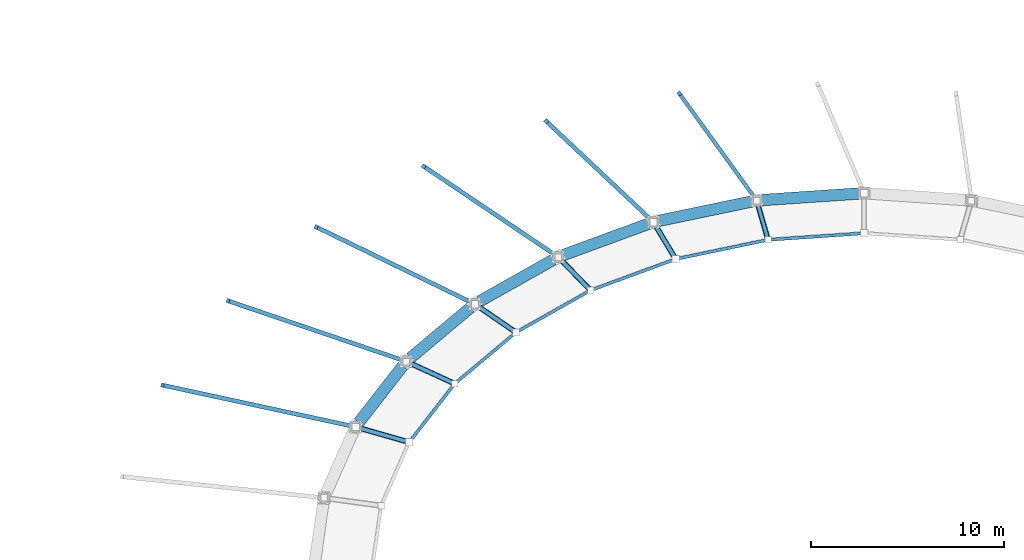
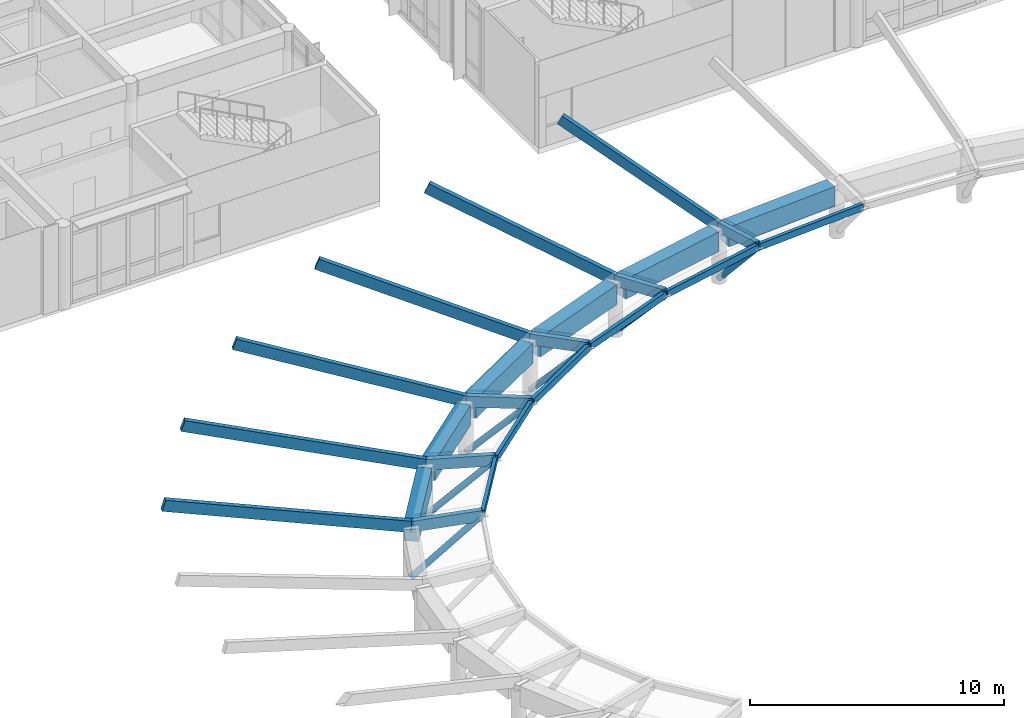
# One storey, part 7 of 37: 24 members, 6 beams.
"""IFC4 building model written with IfcOpenShell, lengths in metres."""

from ifc_helpers import new_model, si_unit, direction, frame, origin, origin_2d, place, context, subcontext, project, spatial, rectangle, hollow_circle, extrude, material, material_profile, profile_set, type_object, element, save


model = new_model("IFC4")

# Units and contexts
model_context = context("Model", 3, precision=1e-05, world=origin(), true_north=direction((0.0, 1.0)))
body_context = subcontext(model_context, "Body", "Model", "MODEL_VIEW")
ifc_project = project(units=[si_unit("LENGTHUNIT", "METRE"), si_unit("AREAUNIT", "SQUARE_METRE"), si_unit("VOLUMEUNIT", "CUBIC_METRE"), si_unit("PLANEANGLEUNIT", "RADIAN"), si_unit("MASSUNIT", "GRAM", prefix="KILO")], contexts=[model_context])

# Site, building, storey
site_placement = place(None, origin())
site = spatial("IfcSite", under=ifc_project, at=site_placement, CompositionType="ELEMENT")
building_placement = place(site_placement, origin())
building = spatial("IfcBuilding", under=site, at=building_placement, Name="Namkhue Oval Health Centre", CompositionType="ELEMENT")
storey_placement = place(building_placement, frame((0.0, 0.0, 22.199951171875)))
storey = spatial("IfcBuildingStorey", under=building, at=storey_placement, Name="L05", CompositionType="ELEMENT", Elevation=22.199951171875)

# Members
ifc_material_1 = material(Name="Structural steel EN 10025-2 S355JR (TCVN 5575:2024)", Category="steel")
ifc_material_profile_1 = material_profile(ifc_material_1, hollow_circle(Radius=0.136474609375, WallThickness=0.012451171875, at=origin_2d()), Name="CHS 273x12.5")
ifc_profile_set_1 = profile_set([ifc_material_profile_1], Name="Structural steel EN 10025-2 S355JR (TCVN 5575:2024)")
member_type_1 = type_object("IfcMemberType", Name="CANOPY STRUT CHS 273", PredefinedType="STRUT", material=ifc_profile_set_1)
member_1_placement = place(storey_placement, frame((95.2412109375, 78.613037109375, 0.115234375), z_axis=(0.178982047127, -0.618870868492, 0.764829572479), x_axis=(0.960632552959, 0.277822062112, 0.0)))
element("IfcMember", 1, at=member_1_placement, inside=storey, type_object=member_type_1, Name="Oval Court Oculus Canopy Strut 10", PredefinedType="STRUT", context=body_context, shape_type="SweptSolid", body=[
    extrude(hollow_circle(Radius=0.136474609375, WallThickness=0.012451171875, at=origin_2d()), origin(), (0.0, 0.0, 1.0), 3.275146484375),
])
member_2_placement = place(storey_placement, frame((89.895751953125, 77.49853515625, 0.114990234375), z_axis=(0.343057087119, -0.569407784033, 0.747051946293), x_axis=(0.856554142156, 0.516057168883, 0.0)))
element("IfcMember", 2, at=member_2_placement, inside=storey, type_object=member_type_1, Name="Oval Court Oculus Canopy Strut 11", PredefinedType="STRUT", context=body_context, shape_type="SweptSolid", body=[
    extrude(hollow_circle(Radius=0.136474609375, WallThickness=0.012451171875, at=origin_2d()), origin(), (0.0, 0.0, 1.0), 3.353271484375),
])
member_3_placement = place(storey_placement, frame((84.96923828125, 75.688720703125, 0.114501953125), z_axis=(0.481738042184, -0.495749423416, 0.722607063275), x_axis=(0.717168831651, 0.696899466859, 0.0)))
element("IfcMember", 3, at=member_3_placement, inside=storey, type_object=member_type_1, Name="Oval Court Oculus Canopy Strut 12", PredefinedType="STRUT", context=body_context, shape_type="SweptSolid", body=[
    extrude(hollow_circle(Radius=0.136474609375, WallThickness=0.012451171875, at=origin_2d()), origin(), (0.0, 0.0, 1.0), 3.467529296875),
])
member_4_placement = place(storey_placement, frame((80.65087890625, 73.252685546875, 0.114013671875), z_axis=(0.591133806128, -0.406463876567, 0.696669175649), x_axis=(0.56658503207, 0.824003277563, 0.0)))
element("IfcMember", 4, at=member_4_placement, inside=storey, type_object=member_type_1, Name="Oval Court Oculus Canopy Strut 13", PredefinedType="STRUT", context=body_context, shape_type="SweptSolid", body=[
    extrude(hollow_circle(Radius=0.136474609375, WallThickness=0.012451171875, at=origin_2d()), origin(), (0.0, 0.0, 1.0), 3.59716796875),
])
member_5_placement = place(storey_placement, frame((77.106689453125, 70.2841796875, 0.113525390625), z_axis=(0.671795959556, -0.308647055128, 0.673370020186), x_axis=(0.417482354006, 0.908685030191, 0.0)))
element("IfcMember", 5, at=member_5_placement, inside=storey, type_object=member_type_1, Name="Oval Court Oculus Canopy Strut 14", PredefinedType="STRUT", context=body_context, shape_type="SweptSolid", body=[
    extrude(hollow_circle(Radius=0.136474609375, WallThickness=0.012451171875, at=origin_2d()), origin(), (0.0, 0.0, 1.0), 3.722412109375),
])
member_6_placement = place(storey_placement, frame((74.472900390625, 66.897216796875, 0.113037109375), z_axis=(0.726469701976, -0.206888156519, 0.655316002248), x_axis=(0.273895320503, 0.961759509132, 0.0)))
element("IfcMember", 6, at=member_6_placement, inside=storey, type_object=member_type_1, Name="Oval Court Oculus Canopy Strut 15", PredefinedType="STRUT", context=body_context, shape_type="SweptSolid", body=[
    extrude(hollow_circle(Radius=0.136474609375, WallThickness=0.012451171875, at=origin_2d()), origin(), (0.0, 0.0, 1.0), 3.82568359375),
])
ifc_material_2 = material(Name="Glulam timber GL28h", Category="wood")
ifc_material_profile_2 = material_profile(ifc_material_2, rectangle(XDim=0.199951171875, YDim=0.47998046875, at=origin_2d()), Name="GL28h 200x480")
ifc_profile_set_2 = profile_set([ifc_material_profile_2], Name="Glulam timber GL28h")
member_type_2 = type_object("IfcMemberType", Name="GRIDSHELL ARCH RIB GL28H 200X480", PredefinedType="USERDEFINED", material=ifc_profile_set_2)
member_7_placement = place(storey_placement, frame((91.236328125, 84.159912109375, 5.800048828125), z_axis=(0.530524033019, -0.733844641439, -0.424283269314), x_axis=(0.810403887577, 0.585871606242, 0.0)))
element("IfcMember", 7, at=member_7_placement, inside=storey, type_object=member_type_2, Name="Gridshell Glulam Arch Rib K5-10", ObjectType="ARCH_SEGMENT", PredefinedType="USERDEFINED", context=body_context, shape_type="SweptSolid", body=[
    extrude(rectangle(XDim=0.199951171875, YDim=0.47998046875, at=origin_2d()), origin(), (0.0, 0.0, 1.0), 7.5419921875),
])
member_8_placement = place(storey_placement, frame((95.237548828125, 78.625244140625, 2.60009765625), z_axis=(0.277936029842, -0.960414448176, 0.018858712823), x_axis=(0.960585279948, 0.27798546715, 0.0)))
element("IfcMember", 8, at=member_8_placement, inside=storey, type_object=member_type_2, Name="Gridshell Glulam Arch Rib K6-10", ObjectType="ARCH_SEGMENT", PredefinedType="USERDEFINED", context=body_context, shape_type="SweptSolid", body=[
    extrude(rectangle(XDim=0.199951171875, YDim=0.47998046875, at=origin_2d()), origin(), (0.0, 0.0, 1.0), 2.123046875),
])
ifc_material_profile_3 = material_profile(ifc_material_2, rectangle(XDim=0.219970703125, YDim=0.52001953125, at=origin_2d()), Name="GL28h 220x520")
ifc_profile_set_3 = profile_set([ifc_material_profile_3], Name="Glulam timber GL28h")
member_type_3 = type_object("IfcMemberType", Name="GRIDSHELL ARCH RIB GL28H 220X520", PredefinedType="USERDEFINED", material=ifc_profile_set_3)
member_9_placement = place(storey_placement, frame((84.347900390625, 82.723388671875, 5.800048828125), z_axis=(0.671333018107, -0.63166710441, -0.387696592718), x_axis=(0.685263596888, 0.728295134393, 0.0)))
element("IfcMember", 9, at=member_9_placement, inside=storey, type_object=member_type_3, Name="Gridshell Glulam Arch Rib K5-11", ObjectType="ARCH_SEGMENT", PredefinedType="USERDEFINED", context=body_context, shape_type="SweptSolid", body=[
    extrude(rectangle(XDim=0.219970703125, YDim=0.52001953125, at=origin_2d()), origin(), (0.0, 0.0, 1.0), 8.253662109375),
])
member_10_placement = place(storey_placement, frame((89.888916015625, 77.509765625, 2.60009765625), z_axis=(0.515997754344, -0.856403867811, 0.017853086859), x_axis=(0.856540382409, 0.516080006688, 0.0)))
element("IfcMember", 10, at=member_10_placement, inside=storey, type_object=member_type_3, Name="Gridshell Glulam Arch Rib K6-11", ObjectType="ARCH_SEGMENT", PredefinedType="USERDEFINED", context=body_context, shape_type="SweptSolid", body=[
    extrude(rectangle(XDim=0.219970703125, YDim=0.52001953125, at=origin_2d()), origin(), (0.0, 0.0, 1.0), 2.24267578125),
])
member_11_placement = place(storey_placement, frame((77.99951171875, 80.390380859375, 5.800048828125), z_axis=(0.774790910304, -0.522307131831, -0.356222269586), x_axis=(0.558975207101, 0.829184369031, 0.0)))
element("IfcMember", 11, at=member_11_placement, inside=storey, type_object=member_type_3, Name="Gridshell Glulam Arch Rib K5-12", ObjectType="ARCH_SEGMENT", PredefinedType="USERDEFINED", context=body_context, shape_type="SweptSolid", body=[
    extrude(rectangle(XDim=0.219970703125, YDim=0.52001953125, at=origin_2d()), origin(), (0.0, 0.0, 1.0), 8.98291015625),
])
member_12_placement = place(storey_placement, frame((84.95947265625, 75.698486328125, 2.60009765625), z_axis=(0.696862242851, -0.717012720376, 0.016606423689), x_axis=(0.717111607314, 0.696958350732, 0.0)))
element("IfcMember", 12, at=member_12_placement, inside=storey, type_object=member_type_3, Name="Gridshell Glulam Arch Rib K6-12", ObjectType="ARCH_SEGMENT", PredefinedType="USERDEFINED", context=body_context, shape_type="SweptSolid", body=[
    extrude(rectangle(XDim=0.219970703125, YDim=0.52001953125, at=origin_2d()), origin(), (0.0, 0.0, 1.0), 2.4111328125),
])
member_13_placement = place(storey_placement, frame((72.43505859375, 77.2509765625, 5.800048828125), z_axis=(0.848581874446, -0.412737617354, -0.330993144313), x_axis=(0.437392024112, 0.899270936505, 0.0)))
element("IfcMember", 13, at=member_13_placement, inside=storey, type_object=member_type_3, Name="Gridshell Glulam Arch Rib K5-13", ObjectType="ARCH_SEGMENT", PredefinedType="USERDEFINED", context=body_context, shape_type="SweptSolid", body=[
    extrude(rectangle(XDim=0.219970703125, YDim=0.52001953125, at=origin_2d()), origin(), (0.0, 0.0, 1.0), 9.667724609375),
])
member_14_placement = place(storey_placement, frame((80.638916015625, 73.2607421875, 2.60009765625), z_axis=(0.823935625932, -0.56647338045, 0.015427039919), x_axis=(0.566540800993, 0.824033689123, 0.0)))
element("IfcMember", 14, at=member_14_placement, inside=storey, type_object=member_type_3, Name="Gridshell Glulam Arch Rib K6-13", ObjectType="ARCH_SEGMENT", PredefinedType="USERDEFINED", context=body_context, shape_type="SweptSolid", body=[
    extrude(rectangle(XDim=0.219970703125, YDim=0.52001953125, at=origin_2d()), origin(), (0.0, 0.0, 1.0), 2.595458984375),
])
member_15_placement = place(storey_placement, frame((67.868408203125, 73.42529296875, 5.800048828125), z_axis=(0.899538636844, -0.305710767407, -0.312043534647), x_axis=(0.321777841615, 0.946815198783, 0.0)))
element("IfcMember", 15, at=member_15_placement, inside=storey, type_object=member_type_3, Name="Gridshell Glulam Arch Rib K5-14", ObjectType="ARCH_SEGMENT", PredefinedType="USERDEFINED", context=body_context, shape_type="SweptSolid", body=[
    extrude(rectangle(XDim=0.219970703125, YDim=0.52001953125, at=origin_2d()), origin(), (0.0, 0.0, 1.0), 10.2548828125),
])
member_16_placement = place(storey_placement, frame((77.093017578125, 70.290283203125, 2.60009765625), z_axis=(0.908614289057, -0.417385590982, 0.014468661366), x_axis=(0.417429286044, 0.908709409632, 0.0)))
element("IfcMember", 16, at=member_16_placement, inside=storey, type_object=member_type_3, Name="Gridshell Glulam Arch Rib K6-14", ObjectType="ARCH_SEGMENT", PredefinedType="USERDEFINED", context=body_context, shape_type="SweptSolid", body=[
    extrude(rectangle(XDim=0.219970703125, YDim=0.52001953125, at=origin_2d()), origin(), (0.0, 0.0, 1.0), 2.767333984375),
])
member_17_placement = place(storey_placement, frame((64.47509765625, 69.060791015625, 5.800048828125), z_axis=(0.932694872075, -0.201748212162, -0.298961426433), x_axis=(0.211417342761, 0.97739588048, 0.0)))
element("IfcMember", 17, at=member_17_placement, inside=storey, type_object=member_type_3, Name="Gridshell Glulam Arch Rib K5-15", ObjectType="ARCH_SEGMENT", PredefinedType="USERDEFINED", context=body_context, shape_type="SweptSolid", body=[
    extrude(rectangle(XDim=0.219970703125, YDim=0.52001953125, at=origin_2d()), origin(), (0.0, 0.0, 1.0), 10.70361328125),
])
member_18_placement = place(storey_placement, frame((74.458251953125, 66.9013671875, 2.60009765625), z_axis=(0.961670102173, -0.273862536087, 0.013781361129), x_axis=(0.273888546589, 0.96176143822, 0.0)))
element("IfcMember", 18, at=member_18_placement, inside=storey, type_object=member_type_3, Name="Gridshell Glulam Arch Rib K6-15", ObjectType="ARCH_SEGMENT", PredefinedType="USERDEFINED", context=body_context, shape_type="SweptSolid", body=[
    extrude(rectangle(XDim=0.219970703125, YDim=0.52001953125, at=origin_2d()), origin(), (0.0, 0.0, 1.0), 2.9052734375),
])
ifc_material_profile_4 = material_profile(ifc_material_2, rectangle(XDim=0.159912109375, YDim=0.320068359375, at=origin_2d()), Name="GL28h 160x320")
ifc_profile_set_4 = profile_set([ifc_material_profile_4], Name="Glulam timber GL28h")
member_type_4 = type_object("IfcMemberType", Name="GRIDSHELL OCULUS PURLIN GL28H 160X320", PredefinedType="PURLIN", material=ifc_profile_set_4)
member_19_placement = place(storey_placement, frame((100.760009765625, 76.92041015625, 2.64013671875), z_axis=(-0.99771522268, -0.067559858143, 0.0), x_axis=(0.067559858143, -0.99771522268, 0.0)))
element("IfcMember", 19, at=member_19_placement, inside=storey, type_object=member_type_4, Name="Gridshell Hoop Purlin K7-9", PredefinedType="PURLIN", context=body_context, shape_type="SweptSolid", body=[
    extrude(rectangle(XDim=0.159912109375, YDim=0.320068359375, at=origin_2d()), origin(), (0.0, 0.0, 1.0), 4.90380859375),
])
member_20_placement = place(storey_placement, frame((95.788330078125, 76.578125, 2.64013671875), z_axis=(-0.978943199485, -0.204132829751, 0.0), x_axis=(0.204132829751, -0.978943199485, 0.0)))
element("IfcMember", 20, at=member_20_placement, inside=storey, type_object=member_type_4, Name="Gridshell Hoop Purlin K7-10", PredefinedType="PURLIN", context=body_context, shape_type="SweptSolid", body=[
    extrude(rectangle(XDim=0.159912109375, YDim=0.320068359375, at=origin_2d()), origin(), (0.0, 0.0, 1.0), 4.80419921875),
])
member_21_placement = place(storey_placement, frame((91.008544921875, 75.5751953125, 2.64013671875), z_axis=(-0.938637253455, -0.34490593852, 0.0), x_axis=(0.34490593852, -0.938637253455, 0.0)))
element("IfcMember", 21, at=member_21_placement, inside=storey, type_object=member_type_4, Name="Gridshell Hoop Purlin K7-11", PredefinedType="PURLIN", context=body_context, shape_type="SweptSolid", body=[
    extrude(rectangle(XDim=0.159912109375, YDim=0.320068359375, at=origin_2d()), origin(), (0.0, 0.0, 1.0), 4.614501953125),
])
member_22_placement = place(storey_placement, frame((86.604736328125, 73.9501953125, 2.64013671875), z_axis=(-0.870938479787, -0.491392067932, 0.0), x_axis=(0.491392067932, -0.870938479787, 0.0)))
element("IfcMember", 22, at=member_22_placement, inside=storey, type_object=member_type_4, Name="Gridshell Hoop Purlin K7-12", PredefinedType="PURLIN", context=body_context, shape_type="SweptSolid", body=[
    extrude(rectangle(XDim=0.159912109375, YDim=0.320068359375, at=origin_2d()), origin(), (0.0, 0.0, 1.0), 4.354736328125),
])
member_23_placement = place(storey_placement, frame((82.74658203125, 71.764892578125, 2.64013671875), z_axis=(-0.766560531818, -0.642172057208, 0.0), x_axis=(0.642172057208, -0.766560531818, 0.0)))
element("IfcMember", 23, at=member_23_placement, inside=storey, type_object=member_type_4, Name="Gridshell Hoop Purlin K7-13", PredefinedType="PURLIN", context=body_context, shape_type="SweptSolid", body=[
    extrude(rectangle(XDim=0.159912109375, YDim=0.320068359375, at=origin_2d()), origin(), (0.0, 0.0, 1.0), 4.054931640625),
])
member_24_placement = place(storey_placement, frame((79.5830078125, 69.103759765625, 2.64013671875), z_axis=(-0.613787668601, -0.789471150754, 0.0), x_axis=(0.789471150754, -0.613787668601, 0.0)))
element("IfcMember", 24, at=member_24_placement, inside=storey, type_object=member_type_4, Name="Gridshell Hoop Purlin K7-14", PredefinedType="PURLIN", context=body_context, shape_type="SweptSolid", body=[
    extrude(rectangle(XDim=0.159912109375, YDim=0.320068359375, at=origin_2d()), origin(), (0.0, 0.0, 1.0), 3.757568359375),
])

# Beams
ifc_material_3 = material(Name="Reinforced concrete C35/45 (TCVN B40)", Category="concrete")
ifc_material_profile_5 = material_profile(ifc_material_3, rectangle(XDim=0.60009765625, YDim=0.949951171875, at=origin_2d()), Name="RC 600x950")
ifc_profile_set_5 = profile_set([ifc_material_profile_5], Name="Reinforced concrete C35/45 (TCVN B40)")
beam_type = type_object("IfcBeamType", Name="RING GIRDER RC 600X950", PredefinedType="USERDEFINED", material=ifc_profile_set_5)
beam_1_placement = place(storey_placement, frame((100.5205078125, 78.983154296875, 2.125), z_axis=(-0.997714599605, -0.067569059002, 0.0), x_axis=(0.067569059002, -0.997714599605, 0.0)))
element("IfcBeam", 25, at=beam_1_placement, inside=storey, type_object=beam_type, Name="Gridshell IR Concrete Ring Girder 9", ObjectType="GIRDER", PredefinedType="USERDEFINED", context=body_context, shape_type="SweptSolid", body=[
    extrude(rectangle(XDim=0.60009765625, YDim=0.949951171875, at=origin_2d()), origin(), (0.0, 0.0, 1.0), 5.01513671875),
])
beam_2_placement = place(storey_placement, frame((94.96337890625, 78.568115234375, 2.125), z_axis=(-0.978943124079, -0.20413319137, 0.0), x_axis=(0.20413319137, -0.978943124079, 0.0)))
element("IfcBeam", 26, at=beam_2_placement, inside=storey, type_object=beam_type, Name="Gridshell IR Concrete Ring Girder 10", ObjectType="GIRDER", PredefinedType="USERDEFINED", context=body_context, shape_type="SweptSolid", body=[
    extrude(rectangle(XDim=0.60009765625, YDim=0.949951171875, at=origin_2d()), origin(), (0.0, 0.0, 1.0), 4.903564453125),
])
beam_3_placement = place(storey_placement, frame((89.626220703125, 77.413330078125, 2.125), z_axis=(-0.938622660706, -0.344945649064, 0.0), x_axis=(0.344945649064, -0.938622660706, 0.0)))
element("IfcBeam", 27, at=beam_3_placement, inside=storey, type_object=beam_type, Name="Gridshell IR Concrete Ring Girder 11", ObjectType="GIRDER", PredefinedType="USERDEFINED", context=body_context, shape_type="SweptSolid", body=[
    extrude(rectangle(XDim=0.60009765625, YDim=0.949951171875, at=origin_2d()), origin(), (0.0, 0.0, 1.0), 4.69189453125),
])
beam_4_placement = place(storey_placement, frame((84.7158203125, 75.560791015625, 2.125), z_axis=(-0.870940726299, -0.491388086214, 0.0), x_axis=(0.491388086214, -0.870940726299, 0.0)))
element("IfcBeam", 28, at=beam_4_placement, inside=storey, type_object=beam_type, Name="Gridshell IR Concrete Ring Girder 12", ObjectType="GIRDER", PredefinedType="USERDEFINED", context=body_context, shape_type="SweptSolid", body=[
    extrude(rectangle(XDim=0.60009765625, YDim=0.949951171875, at=origin_2d()), origin(), (0.0, 0.0, 1.0), 4.40087890625),
])
beam_5_placement = place(storey_placement, frame((80.42431640625, 73.080810546875, 2.125), z_axis=(-0.76657960331, -0.642149290889, 0.0), x_axis=(0.642149290889, -0.76657960331, 0.0)))
element("IfcBeam", 29, at=beam_5_placement, inside=storey, type_object=beam_type, Name="Gridshell IR Concrete Ring Girder 13", ObjectType="GIRDER", PredefinedType="USERDEFINED", context=body_context, shape_type="SweptSolid", body=[
    extrude(rectangle(XDim=0.60009765625, YDim=0.949951171875, at=origin_2d()), origin(), (0.0, 0.0, 1.0), 4.0654296875),
])
beam_6_placement = place(storey_placement, frame((76.92138671875, 70.069091796875, 2.125), z_axis=(-0.613827405967, -0.789440254664, 0.0), x_axis=(0.789440254664, -0.613827405967, 0.0)))
element("IfcBeam", 30, at=beam_6_placement, inside=storey, type_object=beam_type, Name="Gridshell IR Concrete Ring Girder 14", ObjectType="GIRDER", PredefinedType="USERDEFINED", context=body_context, shape_type="SweptSolid", body=[
    extrude(rectangle(XDim=0.60009765625, YDim=0.949951171875, at=origin_2d()), origin(), (0.0, 0.0, 1.0), 3.732666015625),
])

save(model, "model.ifc")
